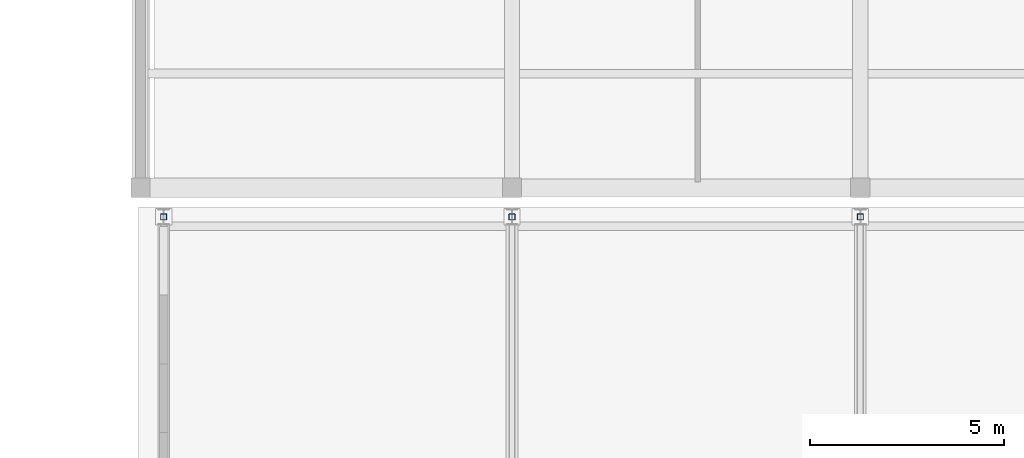
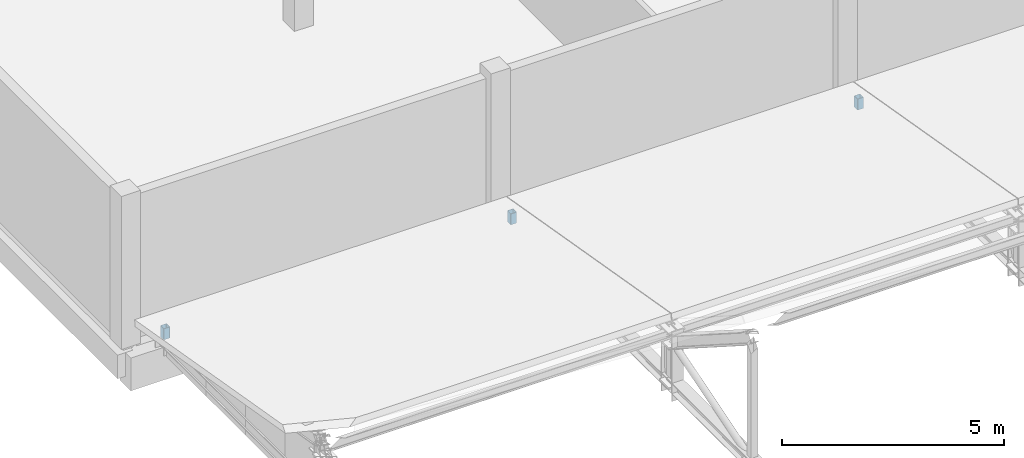
# One storey, part 141 of 182: 3 members.
"""IFC4 building model written with IfcOpenShell, lengths in metres."""

from ifc_helpers import new_model, si_unit, direction, frame, origin, origin_2d, place, context, subcontext, project, spatial, hollow_rectangle, extrude, material, material_profile, profile_set, type_object, element, save


model = new_model("IFC4")

# Units and contexts
model_context = context("Model", 3, precision=1e-05, world=origin(), true_north=direction((0.0, 1.0)))
body_context = subcontext(model_context, "Body", "Model", "MODEL_VIEW")
ifc_project = project(units=[si_unit("LENGTHUNIT", "METRE"), si_unit("AREAUNIT", "SQUARE_METRE"), si_unit("VOLUMEUNIT", "CUBIC_METRE"), si_unit("PLANEANGLEUNIT", "RADIAN"), si_unit("MASSUNIT", "GRAM", prefix="KILO")], contexts=[model_context])

# Site, building, storey
site_placement = place(None, origin())
site = spatial("IfcSite", under=ifc_project, at=site_placement, CompositionType="ELEMENT")
building_placement = place(site_placement, origin())
building = spatial("IfcBuilding", under=site, at=building_placement, Name="Chiffa Square Polytechnic", CompositionType="ELEMENT")
storey_placement = place(building_placement, frame((0.0, 0.0, 9.60009765625)))
storey = spatial("IfcBuildingStorey", under=building, at=storey_placement, Name="L02", CompositionType="ELEMENT", Elevation=9.60009765625)

# Members
ifc_material = material(Name="Steel S355", Category="steel")
ifc_material_profile = material_profile(ifc_material, hollow_rectangle(XDim=0.159912109375, YDim=0.159912109375, WallThickness=0.008056640625, InnerFilletRadius=0.008056640625, OuterFilletRadius=0.01611328125, at=origin_2d()), Name="RHS 160x160x8")
ifc_profile_set = profile_set([ifc_material_profile], Name="Steel S355")
member_type = type_object("IfcMemberType", Name="MEM-WEB-RHS160", PredefinedType="MEMBER", material=ifc_profile_set)
for number, where, z_axis, x_axis, name in (
    (1, (112.199951171875, 94.199951171875, 0.349853515625), (0.0, 0.0, 1.0), (1.0, 0.0, 0.0), "Workshop north shed end post TWV-V2-SH-01"),
    (2, (121.199951171875, 94.199951171875, 0.349853515625), (0.0, 0.0, 1.0), (1.0, 0.0, 0.0), "Workshop north shed end post TWV-V2-SH-02"),
    (3, (130.199951171875, 94.199951171875, 0.349853515625), (0.0, 0.0, 1.0), (1.0, 0.0, 0.0), "Workshop north shed end post TWV-V2-SH-03"),
):
    element("IfcMember", number, at=place(storey_placement, frame(where, z_axis=z_axis, x_axis=x_axis)), inside=storey, type_object=member_type, Name=name, PredefinedType="MEMBER", context=body_context, shape_type="SweptSolid", body=[
        extrude(hollow_rectangle(XDim=0.159912109375, YDim=0.159912109375, WallThickness=0.008056640625, InnerFilletRadius=0.008056640625, OuterFilletRadius=0.01611328125, at=origin_2d()), origin(), (0.0, 0.0, 1.0), 0.300048828125),
    ])

save(model, "model.ifc")
